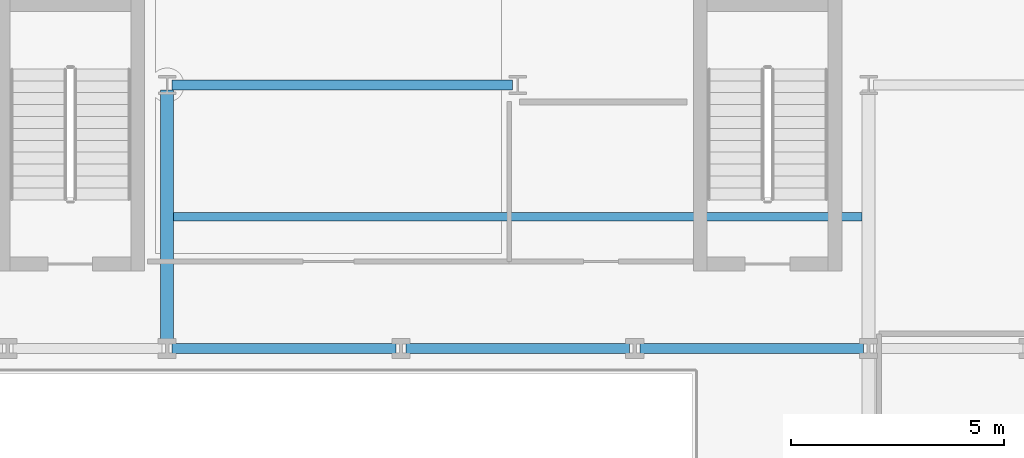
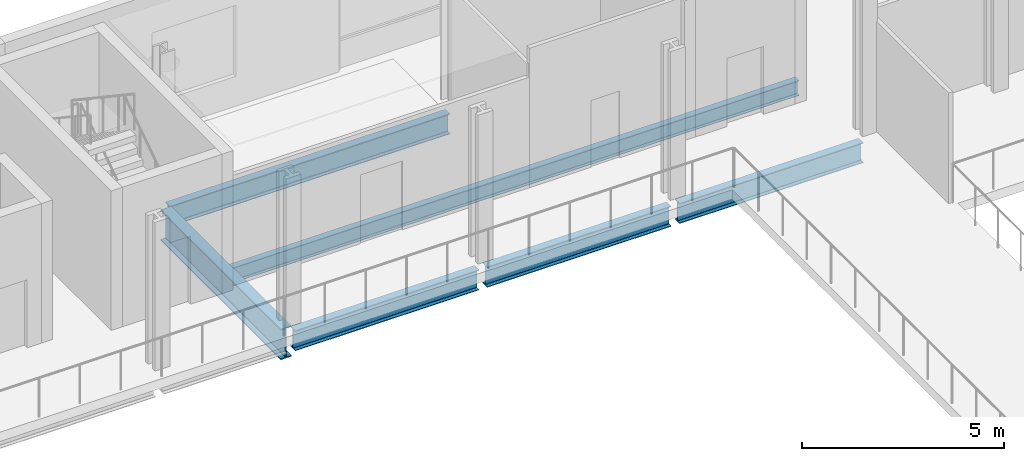
# One storey, part 7 of 25: 6 beams.
"""IFC4 building model written with IfcOpenShell, lengths in metres."""

from ifc_helpers import new_model, si_unit, direction, frame, origin, origin_2d, place, context, subcontext, project, spatial, i_section, extrude, material, material_profile, profile_set, type_object, element, save


model = new_model("IFC4")

# Units and contexts
model_context = context("Model", 3, precision=1e-05, world=origin(), true_north=direction((0.0, 1.0)))
body_context = subcontext(model_context, "Body", "Model", "MODEL_VIEW")
ifc_project = project(units=[si_unit("LENGTHUNIT", "METRE"), si_unit("AREAUNIT", "SQUARE_METRE"), si_unit("VOLUMEUNIT", "CUBIC_METRE"), si_unit("PLANEANGLEUNIT", "RADIAN"), si_unit("MASSUNIT", "GRAM", prefix="KILO")], contexts=[model_context])

# Site, building, storey
site_placement = place(None, origin())
site = spatial("IfcSite", under=ifc_project, at=site_placement, CompositionType="ELEMENT")
building_placement = place(site_placement, origin())
building = spatial("IfcBuilding", under=site, at=building_placement, Name="Brevholm Reach", CompositionType="ELEMENT")
storey_placement = place(building_placement, frame((0.0, 0.0, 9.0)))
storey = spatial("IfcBuildingStorey", under=building, at=storey_placement, Name="L02", CompositionType="ELEMENT", Elevation=9.0)

# Beams
ifc_material_1 = material(Name="Structural Steel S355J2", Category="steel")
ifc_material_profile_1 = material_profile(ifc_material_1, i_section(OverallWidth=0.1904296875, OverallDepth=0.45703125, WebThickness=0.009033203125, FlangeThickness=0.014404296875, FilletRadius=0.01025390625, at=origin_2d()), Name="UKB 457x191x74")
ifc_profile_set_1 = profile_set([ifc_material_profile_1], Name="Structural Steel S355J2")
beam_type_1 = type_object("IfcBeamType", Name="BM-B457", PredefinedType="BEAM", material=ifc_profile_set_1)
beam_1_placement = place(storey_placement, frame((21.90380859375, 34.10009765625, -0.508544921875), z_axis=(1.0, 0.0, 0.0), x_axis=(0.0, 1.0, 0.0)))
element("IfcBeam", 1, at=beam_1_placement, inside=storey, type_object=beam_type_1, Name="L02 Composite Secondary Floor Beam", PredefinedType="BEAM", context=body_context, shape_type="SweptSolid", body=[
    extrude(i_section(OverallWidth=0.1904296875, OverallDepth=0.45703125, WebThickness=0.009033203125, FlangeThickness=0.014404296875, FilletRadius=0.01025390625, at=origin_2d()), origin(), (0.0, 0.0, 1.0), 16.1923828125),
])
ifc_material_2 = material(Name="Structural Steel S355J2", Category="steel")
ifc_material_profile_2 = material_profile(ifc_material_2, i_section(OverallWidth=0.22900390625, OverallDepth=0.6123046875, WebThickness=0.011962890625, FlangeThickness=0.01953125, FilletRadius=0.0126953125, at=origin_2d()), Name="UKB 610x229x125")
ifc_profile_set_2 = profile_set([ifc_material_profile_2], Name="Structural Steel S355J2")
beam_type_2 = type_object("IfcBeamType", Name="BM-SP610", PredefinedType="SPANDREL", material=ifc_profile_set_2)
for number, where, z_axis, x_axis, name in (
    (2, (21.8701171875, 31.0, -0.586181640625), (1.0, 0.0, 0.0), (0.0, 1.0, 0.0), "L02 SP-01 Framing Beam"),
    (3, (27.3701171875, 31.0, -0.586181640625), (1.0, 0.0, 0.0), (0.0, 1.0, 0.0), "L02 SP-01 Framing Beam"),
    (4, (32.8701171875, 31.0, -0.586181640625), (1.0, 0.0, 0.0), (0.0, 1.0, 0.0), "L02 SP-01 Framing Beam"),
):
    element("IfcBeam", number, at=place(storey_placement, frame(where, z_axis=z_axis, x_axis=x_axis)), inside=storey, type_object=beam_type_2, Name=name, PredefinedType="SPANDREL", context=body_context, shape_type="SweptSolid", body=[
        extrude(i_section(OverallWidth=0.22900390625, OverallDepth=0.6123046875, WebThickness=0.011962890625, FlangeThickness=0.01953125, FilletRadius=0.0126953125, at=origin_2d()), origin(), (0.0, 0.0, 1.0), 5.259765625),
    ])
beam_2_placement = place(storey_placement, frame((21.8701171875, 37.199951171875, -0.586181640625), z_axis=(1.0, 0.0, 0.0), x_axis=(0.0, 1.0, 0.0)))
element("IfcBeam", 5, at=beam_2_placement, inside=storey, type_object=beam_type_2, Name="L02 SP-01 Framing Beam", PredefinedType="SPANDREL", context=body_context, shape_type="SweptSolid", body=[
    extrude(i_section(OverallWidth=0.22900390625, OverallDepth=0.6123046875, WebThickness=0.011962890625, FlangeThickness=0.01953125, FilletRadius=0.0126953125, at=origin_2d()), origin(), (0.0, 0.0, 1.0), 8.009765625),
])
ifc_material_3 = material(Name="Structural Steel S460ML", Category="steel")
ifc_material_profile_3 = material_profile(ifc_material_3, i_section(OverallWidth=0.3076171875, OverallDepth=0.926513671875, WebThickness=0.01953125, FlangeThickness=0.031982421875, FilletRadius=0.01904296875, at=origin_2d()), Name="UKB 914x305x289")
ifc_profile_set_3 = profile_set([ifc_material_profile_3], Name="Structural Steel S460ML")
beam_type_3 = type_object("IfcBeamType", Name="BM-UKB914B", PredefinedType="USERDEFINED", material=ifc_profile_set_3)
beam_3_placement = place(storey_placement, frame((21.75, 31.1201171875, -0.743408203125), z_axis=(0.0, 1.0, 0.0), x_axis=(-1.0, 0.0, 0.0)))
element("IfcBeam", 6, at=beam_3_placement, inside=storey, type_object=beam_type_3, Name="L02 G-02B Framing Beam", ObjectType="GIRDER", PredefinedType="USERDEFINED", context=body_context, shape_type="SweptSolid", body=[
    extrude(i_section(OverallWidth=0.3076171875, OverallDepth=0.926513671875, WebThickness=0.01953125, FlangeThickness=0.031982421875, FilletRadius=0.01904296875, at=origin_2d()), origin(), (0.0, 0.0, 1.0), 5.9599609375),
])

save(model, "model.ifc")
